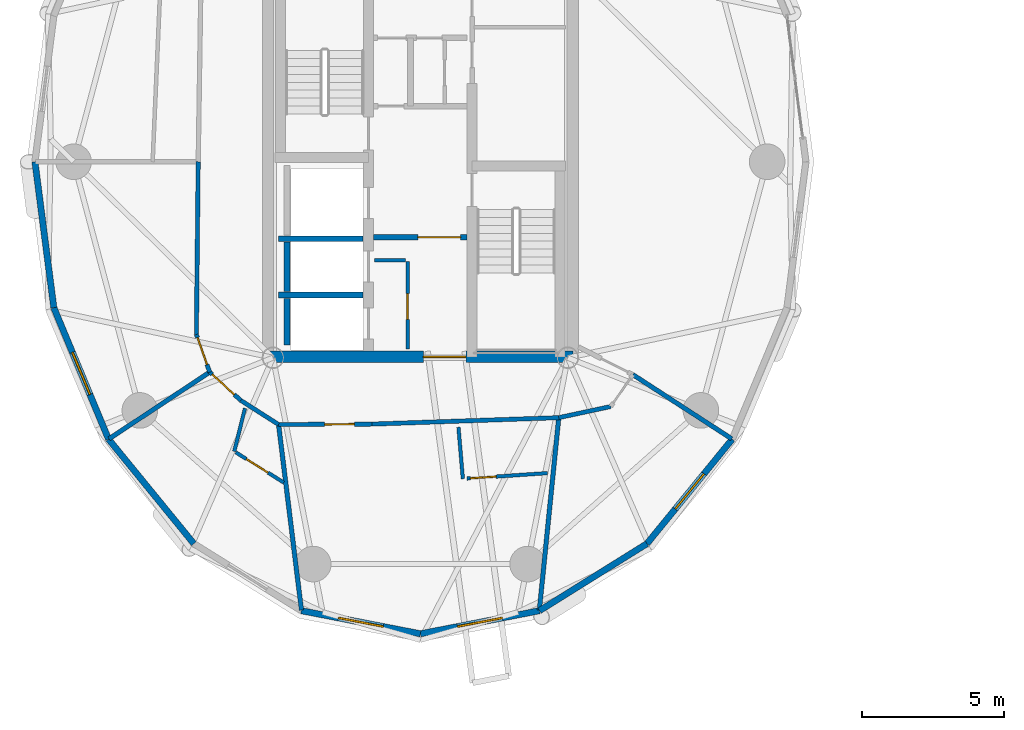
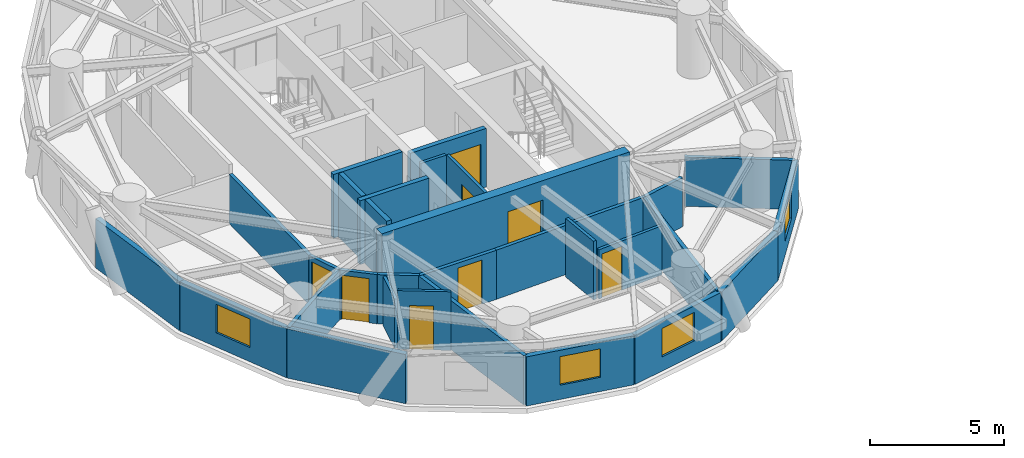
# One storey, part 9 of 17: 30 walls, 8 doors, 4 windows, 12 openings.
"""IFC4 building model written with IfcOpenShell, lengths in metres."""

from ifc_helpers import new_model, si_unit, direction, frame, frame_2d, origin, place, context, subcontext, project, spatial, rectangle, extrude, source, transform, mapped, material, layer, layer_set, type_object, element, fill, save


model = new_model("IFC4")

# Units and contexts
model_context = context("Model", 3, precision=1e-05, world=origin(), true_north=direction((0.0, 1.0)))
body_context = subcontext(model_context, "Body", "Model", "MODEL_VIEW")
ifc_project = project(units=[si_unit("LENGTHUNIT", "METRE"), si_unit("AREAUNIT", "SQUARE_METRE"), si_unit("VOLUMEUNIT", "CUBIC_METRE"), si_unit("PLANEANGLEUNIT", "RADIAN"), si_unit("MASSUNIT", "GRAM", prefix="KILO")], contexts=[model_context])

# Site, building, storey
site_placement = place(None, origin())
site = spatial("IfcSite", under=ifc_project, at=site_placement, CompositionType="ELEMENT")
building_placement = place(site_placement, origin())
building = spatial("IfcBuilding", under=site, at=building_placement, Name="Cununo Teusaquillo Station Towers", CompositionType="ELEMENT")
storey_placement = place(building_placement, frame((0.0, 0.0, 183.610107421875)))
storey = spatial("IfcBuildingStorey", under=building, at=storey_placement, Name="L58", CompositionType="ELEMENT", Elevation=183.610107421875)

# Walls
ifc_material_1 = material(Name="Concrete C50/60", Category="concrete")
ifc_layer_1 = layer(ifc_material_1, 0.199951171875)
ifc_layer_set_1 = layer_set([ifc_layer_1], Name="Concrete C50/60")
wall_type_1 = type_object("IfcWallType", Name="WL-CORE-200", PredefinedType="SHEAR", material=ifc_layer_set_1)
for number, where, z_axis, x_axis, name in (
    (1, (11.52001953125, 21.800048828125, 0.0), (0.0, 0.0, 1.0), (1.0, 0.0, 0.0), "L58 Tower A Firefighting Lift Shaft South Shear Wall"),
    (2, (11.52001953125, 19.824951171875, 0.0), (0.0, 0.0, 1.0), (1.0, 0.0, 0.0), "L58 Tower A High-Rise Lift Hoistway Divider Shear Wall"),
):
    element("IfcWall", number, at=place(storey_placement, frame(where, z_axis=z_axis, x_axis=x_axis)), inside=storey, type_object=wall_type_1, Name=name, PredefinedType="SHEAR", context=body_context, shape_type="SweptSolid", body=[
        extrude(rectangle(XDim=2.969970703125, YDim=0.199951171875, at=frame_2d((1.48486328125, 0.0))), origin(), (0.0, 0.0, 1.0), 2.909912109375),
    ])
wall_1_placement = place(storey_placement, frame((11.820068359375, 19.945068359375, 0.0), z_axis=(0.0, 0.0, 1.0), x_axis=(0.0, 1.0, 0.0)))
element("IfcWall", 3, at=wall_1_placement, inside=storey, type_object=wall_type_1, Name="L58 Tower A High-Rise Lift 2 Shaft Rear Shear Wall", PredefinedType="SHEAR", context=body_context, shape_type="SweptSolid", body=[
    extrude(rectangle(XDim=1.73486328125, YDim=0.199951171875, at=frame_2d((0.867431640625, 0.0))), origin(), (0.0, 0.0, 1.0), 2.909912109375),
])
wall_2_placement = place(storey_placement, frame((11.820068359375, 18.070068359375, 0.0), z_axis=(0.0, 0.0, 1.0), x_axis=(0.0, 1.0, 0.0)))
element("IfcWall", 4, at=wall_2_placement, inside=storey, type_object=wall_type_1, Name="L58 Tower A High-Rise Lift 1 Shaft Rear Shear Wall", PredefinedType="SHEAR", context=body_context, shape_type="SweptSolid", body=[
    extrude(rectangle(XDim=1.635009765625, YDim=0.199951171875, at=frame_2d((0.8173828125, 0.0))), origin(), (0.0, 0.0, 1.0), 2.909912109375),
])

# Wall, opening, door
ifc_material_2 = material(Name="Concrete C50/60", Category="concrete")
ifc_layer_2 = layer(ifc_material_2, 0.39990234375)
ifc_layer_set_2 = layer_set([ifc_layer_2], Name="Concrete C50/60")
wall_type_2 = type_object("IfcWallType", Name="WL-CORE-400", PredefinedType="SHEAR", material=ifc_layer_set_2)
wall_3_placement = place(storey_placement, frame((11.14990234375, 17.64990234375, 0.0), z_axis=(0.0, 0.0, 1.0), x_axis=(1.0, 0.0, 0.0)))
wall_3 = element("IfcWall", 5, at=wall_3_placement, inside=storey, type_object=wall_type_2, Name="L58 Tower A Core Shear Wall S", PredefinedType="SHEAR", context=body_context, shape_type="SweptSolid", body=[
    extrude(rectangle(XDim=10.7001953125, YDim=0.39990234375, at=frame_2d((5.35009765625, 0.0))), origin(), (0.0, 0.0, 1.0), 2.909912109375),
])
shared_shape_1 = source(origin(), body_context, "Body", "SweptSolid", [
    extrude(rectangle(XDim=1.5, YDim=2.02001953125, at=frame_2d((0.75, 1.010009765625))), frame((0.0, 0.2099609375, 0.0), z_axis=(0.0, -1.0, 0.0), x_axis=(1.0, 0.0, 0.0)), (0.0, 0.0, 1.0), 0.419921875),
])
opening_1_placement = place(wall_3_placement, frame((5.449951171875, 0.0, 0.0)))
opening_1 = element("IfcOpeningElement", 6, at=opening_1_placement, cuts=wall_3, Name="Opening D-LB1", PredefinedType="OPENING", context=body_context, shape_type="MappedRepresentation", body=[
    mapped(shared_shape_1, transform((0.0, 0.0, 0.0), x_axis=(1.0, 0.0, 0.0), y_axis=(0.0, 1.0, 0.0), z_axis=(0.0, 0.0, 1.0), scale=1.0)),
])
ifc_material_3 = material(Name="Galvanised fire-rated hollow steel door assembly", Category="steel")
door_type_1 = type_object("IfcDoorType", Name="DR-LOBBY-1500", OperationType="DOUBLE_DOOR_SINGLE_SWING", PredefinedType="DOOR", material=ifc_material_3)
shared_shape_2 = source(origin(), body_context, "Body", "SweptSolid", [
    extrude(rectangle(XDim=1.5, YDim=2.02001953125, at=frame_2d((0.75, 1.010009765625))), frame((0.0, 0.02490234375, 0.0), z_axis=(0.0, -1.0, 0.0), x_axis=(1.0, 0.0, 0.0)), (0.0, 0.0, 1.0), 0.050048828125),
])
door_1_placement = place(opening_1_placement, origin())
door_1 = element("IfcDoor", 7, at=door_1_placement, inside=storey, type_object=door_type_1, Name="L58 Tower A South Core Lift Lobby Door", OperationType="DOUBLE_DOOR_SINGLE_SWING", OverallHeight=2.02001953125, OverallWidth=1.5, PredefinedType="DOOR", context=body_context, shape_type="MappedRepresentation", body=[
    mapped(shared_shape_2, transform((0.0, 0.0, 0.0), x_axis=(1.0, 0.0, 0.0), y_axis=(0.0, 1.0, 0.0), z_axis=(0.0, 0.0, 1.0), scale=1.0)),
])
fill(opening_1, door_1)

# Wall
ifc_material_4 = material(Name="Precast concrete C40/50", Category="concrete")
ifc_layer_3 = layer(ifc_material_4, 0.219970703125)
ifc_layer_set_3 = layer_set([ifc_layer_3], Name="Precast concrete C40/50")
wall_type_3 = type_object("IfcWallType", Name="WL-EXT-220", PredefinedType="SOLIDWALL", material=ifc_layer_set_3)
wall_4_placement = place(storey_placement, frame((3.63134765625, 19.379638671875, 0.0), z_axis=(0.0, 0.0, 1.0), x_axis=(-0.128287912609, 0.991736966881, 0.0)))
element("IfcWall", 8, at=wall_4_placement, inside=storey, type_object=wall_type_3, Name="L58 Tower A Exterior Facade Wall C10", PredefinedType="SOLIDWALL", context=body_context, shape_type="SweptSolid", body=[
    extrude(rectangle(XDim=5.1630859375, YDim=0.219970703125, at=frame_2d((2.58154296875, 0.0))), origin(), (0.0, 0.0, 1.0), 2.244873046875),
])

# Wall, opening, window
wall_5_placement = place(storey_placement, frame((5.55322265625, 14.760498046875, 0.0), z_axis=(0.0, 0.0, 1.0), x_axis=(-0.384144094086, 0.923273152961, 0.0)))
wall_5 = element("IfcWall", 9, at=wall_5_placement, inside=storey, type_object=wall_type_3, Name="L58 Tower A Exterior Facade Wall C11", PredefinedType="SOLIDWALL", context=body_context, shape_type="SweptSolid", body=[
    extrude(rectangle(XDim=5.0029296875, YDim=0.219970703125, at=frame_2d((2.50146484375, 0.0))), origin(), (0.0, 0.0, 1.0), 2.244873046875),
])
shared_shape_3 = source(origin(), body_context, "Body", "SweptSolid", [
    extrude(rectangle(XDim=1.60009765625, YDim=1.300048828125, at=frame_2d((0.800048828125, 0.64990234375))), frame((0.0, 0.119873046875, 0.0), z_axis=(0.0, -1.0, 0.0), x_axis=(1.0, 0.0, 0.0)), (0.0, 0.0, 1.0), 0.239990234375),
])
opening_2_placement = place(wall_5_placement, frame((1.701904296875, 0.0, 0.64990234375)))
opening_2 = element("IfcOpeningElement", 10, at=opening_2_placement, cuts=wall_5, Name="Opening WN-03", PredefinedType="OPENING", context=body_context, shape_type="MappedRepresentation", body=[
    mapped(shared_shape_3, transform((0.0, 0.0, 0.0), x_axis=(1.0, 0.0, 0.0), y_axis=(0.0, 1.0, 0.0), z_axis=(0.0, 0.0, 1.0), scale=1.0)),
])
ifc_material_5 = material(Name="Ceramic-fritted dark low-E double glazing", Category="glass")
window_type = type_object("IfcWindowType", Name="WIN-CORN-1600", PartitioningType="SINGLE_PANEL", PredefinedType="WINDOW", material=ifc_material_5)
shared_shape_4 = source(origin(), body_context, "Body", "SweptSolid", [
    extrude(rectangle(XDim=1.60009765625, YDim=1.300048828125, at=frame_2d((0.800048828125, 0.64990234375))), frame((0.0, 0.030029296875, 0.0), z_axis=(0.0, -1.0, 0.0), x_axis=(1.0, 0.0, 0.0)), (0.0, 0.0, 1.0), 0.06005859375),
])
window_1_placement = place(opening_2_placement, origin())
window_1 = element("IfcWindow", 11, at=window_1_placement, inside=storey, type_object=window_type, Name="L58 Tower A Facade Window C11", OverallHeight=1.300048828125, OverallWidth=1.60009765625, PartitioningType="SINGLE_PANEL", PredefinedType="WINDOW", context=body_context, shape_type="MappedRepresentation", body=[
    mapped(shared_shape_4, transform((0.0, 0.0, 0.0), x_axis=(1.0, 0.0, 0.0), y_axis=(0.0, 1.0, 0.0), z_axis=(0.0, 0.0, 1.0), scale=1.0)),
])
fill(opening_2, window_1)

# Wall
wall_6_placement = place(storey_placement, frame((8.546630859375, 11.094482421875, 0.0), z_axis=(0.0, 0.0, 1.0), x_axis=(-0.632470615287, 0.774584353572, 0.0)))
element("IfcWall", 12, at=wall_6_placement, inside=storey, type_object=wall_type_3, Name="L58 Tower A Exterior Facade Wall C12", PredefinedType="SOLIDWALL", context=body_context, shape_type="SweptSolid", body=[
    extrude(rectangle(XDim=4.73291015625, YDim=0.219970703125, at=frame_2d((2.366455078125, 0.0))), origin(), (0.0, 0.0, 1.0), 2.244873046875),
])

# Wall, opening, window
wall_7_placement = place(storey_placement, frame((16.5, 7.929931640625, 0.0), z_axis=(0.0, 0.0, 1.0), x_axis=(-0.981703883443, 0.190413983815, 0.0)))
wall_7 = element("IfcWall", 13, at=wall_7_placement, inside=storey, type_object=wall_type_3, Name="L58 Tower A Exterior Facade Wall C14", PredefinedType="SOLIDWALL", context=body_context, shape_type="SweptSolid", body=[
    extrude(rectangle(XDim=4.25927734375, YDim=0.219970703125, at=frame_2d((2.129638671875, 0.0))), origin(), (0.0, 0.0, 1.0), 2.244873046875),
])
opening_3_placement = place(wall_7_placement, frame((1.330078125, 0.0, 0.64990234375)))
opening_3 = element("IfcOpeningElement", 14, at=opening_3_placement, cuts=wall_7, Name="Opening WN-03", PredefinedType="OPENING", context=body_context, shape_type="MappedRepresentation", body=[
    mapped(shared_shape_3, transform((0.0, 0.0, 0.0), x_axis=(1.0, 0.0, 0.0), y_axis=(0.0, 1.0, 0.0), z_axis=(0.0, 0.0, 1.0), scale=1.0)),
])
window_2_placement = place(opening_3_placement, origin())
window_2 = element("IfcWindow", 15, at=window_2_placement, inside=storey, type_object=window_type, Name="L58 Tower A Facade Window C14", OverallHeight=1.300048828125, OverallWidth=1.60009765625, PartitioningType="SINGLE_PANEL", PredefinedType="WINDOW", context=body_context, shape_type="MappedRepresentation", body=[
    mapped(shared_shape_4, transform((0.0, 0.0, 0.0), x_axis=(1.0, 0.0, 0.0), y_axis=(0.0, 1.0, 0.0), z_axis=(0.0, 0.0, 1.0), scale=1.0)),
])
fill(opening_3, window_2)

wall_8_placement = place(storey_placement, frame((20.681396484375, 8.740966796875, 0.0), z_axis=(0.0, 0.0, 1.0), x_axis=(-0.981703883443, -0.190413983815, 0.0)))
wall_8 = element("IfcWall", 16, at=wall_8_placement, inside=storey, type_object=wall_type_3, Name="L58 Tower A Exterior Facade Wall C15", PredefinedType="SOLIDWALL", context=body_context, shape_type="SweptSolid", body=[
    extrude(rectangle(XDim=4.25927734375, YDim=0.219970703125, at=frame_2d((2.129638671875, 0.0))), origin(), (0.0, 0.0, 1.0), 2.244873046875),
])
opening_4_placement = place(wall_8_placement, frame((1.330078125, 0.0, 0.64990234375)))
opening_4 = element("IfcOpeningElement", 17, at=opening_4_placement, cuts=wall_8, Name="Opening WN-03", PredefinedType="OPENING", context=body_context, shape_type="MappedRepresentation", body=[
    mapped(shared_shape_3, transform((0.0, 0.0, 0.0), x_axis=(1.0, 0.0, 0.0), y_axis=(0.0, 1.0, 0.0), z_axis=(0.0, 0.0, 1.0), scale=1.0)),
])
window_3_placement = place(opening_4_placement, origin())
window_3 = element("IfcWindow", 18, at=window_3_placement, inside=storey, type_object=window_type, Name="L58 Tower A Facade Window C15", OverallHeight=1.300048828125, OverallWidth=1.60009765625, PartitioningType="SINGLE_PANEL", PredefinedType="WINDOW", context=body_context, shape_type="MappedRepresentation", body=[
    mapped(shared_shape_4, transform((0.0, 0.0, 0.0), x_axis=(1.0, 0.0, 0.0), y_axis=(0.0, 1.0, 0.0), z_axis=(0.0, 0.0, 1.0), scale=1.0)),
])
fill(opening_4, window_3)

# Wall
wall_9_placement = place(storey_placement, frame((24.453369140625, 11.094482421875, 0.0), z_axis=(0.0, 0.0, 1.0), x_axis=(-0.848399108042, -0.529357113368, 0.0)))
element("IfcWall", 19, at=wall_9_placement, inside=storey, type_object=wall_type_3, Name="L58 Tower A Exterior Facade Wall C16", PredefinedType="SOLIDWALL", context=body_context, shape_type="SweptSolid", body=[
    extrude(rectangle(XDim=4.446044921875, YDim=0.219970703125, at=frame_2d((2.22314453125, 0.0))), origin(), (0.0, 0.0, 1.0), 2.244873046875),
])

# Wall, opening, window
wall_10_placement = place(storey_placement, frame((27.44677734375, 14.760498046875, 0.0), z_axis=(0.0, 0.0, 1.0), x_axis=(-0.632470615287, -0.774584353572, 0.0)))
wall_10 = element("IfcWall", 20, at=wall_10_placement, inside=storey, type_object=wall_type_3, Name="L58 Tower A Exterior Facade Wall C17", PredefinedType="SOLIDWALL", context=body_context, shape_type="SweptSolid", body=[
    extrude(rectangle(XDim=4.73291015625, YDim=0.219970703125, at=frame_2d((2.366455078125, 0.0))), origin(), (0.0, 0.0, 1.0), 2.244873046875),
])
opening_5_placement = place(wall_10_placement, frame((1.56591796875, 0.0, 0.64990234375)))
opening_5 = element("IfcOpeningElement", 21, at=opening_5_placement, cuts=wall_10, Name="Opening WN-03", PredefinedType="OPENING", context=body_context, shape_type="MappedRepresentation", body=[
    mapped(shared_shape_3, transform((0.0, 0.0, 0.0), x_axis=(1.0, 0.0, 0.0), y_axis=(0.0, 1.0, 0.0), z_axis=(0.0, 0.0, 1.0), scale=1.0)),
])
window_4_placement = place(opening_5_placement, origin())
window_4 = element("IfcWindow", 22, at=window_4_placement, inside=storey, type_object=window_type, Name="L58 Tower A Facade Window C17", OverallHeight=1.300048828125, OverallWidth=1.60009765625, PartitioningType="SINGLE_PANEL", PredefinedType="WINDOW", context=body_context, shape_type="MappedRepresentation", body=[
    mapped(shared_shape_4, transform((0.0, 0.0, 0.0), x_axis=(1.0, 0.0, 0.0), y_axis=(0.0, 1.0, 0.0), z_axis=(0.0, 0.0, 1.0), scale=1.0)),
])
fill(opening_5, window_4)

# Wall, opening, door
ifc_material_6 = material(Name="Fire-rated gypsum plasterboard partition assembly", Category="gypsum")
ifc_layer_4 = layer(ifc_material_6, 0.125)
ifc_layer_set_4 = layer_set([ifc_layer_4], Name="Fire-rated gypsum plasterboard partition assembly")
wall_type_4 = type_object("IfcWallType", Name="WL-PART-125", PredefinedType="PARTITIONING", material=ifc_layer_set_4)
wall_11_placement = place(storey_placement, frame((16.050048828125, 17.919921875, 0.0), z_axis=(0.0, 0.0, 1.0), x_axis=(0.0, 1.0, 0.0)))
wall_11 = element("IfcWall", 23, at=wall_11_placement, inside=storey, type_object=wall_type_4, Name="L58 Tower A South-West Tall Store East Wall", PredefinedType="PARTITIONING", context=body_context, shape_type="SweptSolid", body=[
    extrude(rectangle(XDim=3.080078125, YDim=0.125, at=frame_2d((1.5400390625, 0.0))), origin(), (0.0, 0.0, 1.0), 2.6748046875),
])
shared_shape_5 = source(origin(), body_context, "Body", "SweptSolid", [
    extrude(rectangle(XDim=0.89990234375, YDim=2.0048828125, at=frame_2d((0.449951171875, 1.00244140625))), frame((0.0, 0.072509765625, 0.0), z_axis=(0.0, -1.0, 0.0), x_axis=(1.0, 0.0, 0.0)), (0.0, 0.0, 1.0), 0.14501953125),
])
opening_6_placement = place(wall_11_placement, frame((1.050048828125, 0.0, 0.0)))
opening_6 = element("IfcOpeningElement", 24, at=opening_6_placement, cuts=wall_11, Name="Opening D-SR1", PredefinedType="OPENING", context=body_context, shape_type="MappedRepresentation", body=[
    mapped(shared_shape_5, transform((0.0, 0.0, 0.0), x_axis=(1.0, 0.0, 0.0), y_axis=(0.0, 1.0, 0.0), z_axis=(0.0, 0.0, 1.0), scale=1.0)),
])
ifc_material_7 = material(Name="Galvanised fire-rated hollow steel door assembly", Category="steel")
door_type_2 = type_object("IfcDoorType", Name="DR-STORE-900", OperationType="NOTDEFINED", PredefinedType="DOOR", material=ifc_material_7)
shared_shape_6 = source(origin(), body_context, "Body", "SweptSolid", [
    extrude(rectangle(XDim=0.89990234375, YDim=2.0048828125, at=frame_2d((0.449951171875, 1.00244140625))), frame((0.0, 0.02490234375, 0.0), z_axis=(0.0, -1.0, 0.0), x_axis=(1.0, 0.0, 0.0)), (0.0, 0.0, 1.0), 0.050048828125),
])
door_2_placement = place(opening_6_placement, origin())
door_2 = element("IfcDoor", 25, at=door_2_placement, inside=storey, type_object=door_type_2, Name="L58 Tower A South Cleaners Store Door", OperationType="SINGLE_SWING_RIGHT", OverallHeight=2.0048828125, OverallWidth=0.89990234375, PredefinedType="DOOR", context=body_context, shape_type="MappedRepresentation", body=[
    mapped(shared_shape_6, transform((0.0, 0.0, 0.0), x_axis=(1.0, 0.0, 0.0), y_axis=(0.0, 1.0, 0.0), z_axis=(0.0, 0.0, 1.0), scale=1.0)),
])
fill(opening_6, door_2)

# Walls
wall_12_placement = place(storey_placement, frame((14.8798828125, 21.050048828125, 0.0), z_axis=(0.0, 0.0, 1.0), x_axis=(1.0, 0.0, 0.0)))
element("IfcWall", 26, at=wall_12_placement, inside=storey, type_object=wall_type_4, Name="L58 Tower A South-West Tall Store North Wall", PredefinedType="PARTITIONING", context=body_context, shape_type="SweptSolid", body=[
    extrude(rectangle(XDim=1.10009765625, YDim=0.125, at=frame_2d((0.550048828125, 0.0))), origin(), (0.0, 0.0, 1.0), 2.6748046875),
])
wall_13_placement = place(storey_placement, frame((10.343017578125, 15.8466796875, 0.0), z_axis=(0.0, 0.0, 1.0), x_axis=(-0.240988864291, -0.970527880737, 0.0)))
element("IfcWall", 27, at=wall_13_placement, inside=storey, type_object=wall_type_4, Name="L58 Tower A S05 En-suite Side Wall", PredefinedType="PARTITIONING", context=body_context, shape_type="SweptSolid", body=[
    extrude(rectangle(XDim=1.56005859375, YDim=0.125, at=frame_2d((0.780029296875, 0.0))), origin(), (0.0, 0.0, 1.0), 2.244873046875),
])

# Wall, opening, door
wall_14_placement = place(storey_placement, frame((10.019775390625, 14.29931640625, 0.0), z_axis=(0.0, 0.0, 1.0), x_axis=(0.846015763056, -0.533157883427, 0.0)))
wall_14 = element("IfcWall", 28, at=wall_14_placement, inside=storey, type_object=wall_type_4, Name="L58 Tower A S05 En-suite Back Wall", PredefinedType="PARTITIONING", context=body_context, shape_type="SweptSolid", body=[
    extrude(rectangle(XDim=1.991455078125, YDim=0.125, at=frame_2d((0.99560546875, 0.0))), origin(), (0.0, 0.0, 1.0), 2.6748046875),
])
opening_7_placement = place(wall_14_placement, frame((0.439208984375, 0.0, 0.0)))
opening_7 = element("IfcOpeningElement", 29, at=opening_7_placement, cuts=wall_14, Name="Opening D-IN1", PredefinedType="OPENING", context=body_context, shape_type="MappedRepresentation", body=[
    mapped(shared_shape_5, transform((0.0, 0.0, 0.0), x_axis=(1.0, 0.0, 0.0), y_axis=(0.0, 1.0, 0.0), z_axis=(0.0, 0.0, 1.0), scale=1.0)),
])
ifc_material_8 = material(Name="Acoustic solid-core hardwood leaf assembly", Category="wood")
door_type_3 = type_object("IfcDoorType", Name="DR-INT-900", OperationType="NOTDEFINED", PredefinedType="DOOR", material=ifc_material_8)
door_3_placement = place(opening_7_placement, origin())
door_3 = element("IfcDoor", 30, at=door_3_placement, inside=storey, type_object=door_type_3, Name="L58 Tower A S05 En-suite Bathroom Door", OperationType="SINGLE_SWING_LEFT", OverallHeight=2.0048828125, OverallWidth=0.89990234375, PredefinedType="DOOR", context=body_context, shape_type="MappedRepresentation", body=[
    mapped(shared_shape_6, transform((0.0, 0.0, 0.0), x_axis=(1.0, 0.0, 0.0), y_axis=(0.0, 1.0, 0.0), z_axis=(0.0, 0.0, 1.0), scale=1.0)),
])
fill(opening_7, door_3)

# Wall
wall_15_placement = place(storey_placement, frame((17.835693359375, 15.182373046875, 0.0), z_axis=(0.0, 0.0, 1.0), x_axis=(0.084856554172, -0.996393178025, 0.0)))
element("IfcWall", 31, at=wall_15_placement, inside=storey, type_object=wall_type_4, Name="L58 Tower A S06 En-suite Side Wall", PredefinedType="PARTITIONING", context=body_context, shape_type="SweptSolid", body=[
    extrude(rectangle(XDim=1.818359375, YDim=0.125, at=frame_2d((0.9091796875, 0.0))), origin(), (0.0, 0.0, 1.0), 2.6748046875),
])

# Wall, opening, door
wall_16_placement = place(storey_placement, frame((18.136962890625, 13.38037109375, 0.0), z_axis=(0.0, 0.0, 1.0), x_axis=(0.997767152953, 0.066788535611, 0.0)))
wall_16 = element("IfcWall", 32, at=wall_16_placement, inside=storey, type_object=wall_type_4, Name="L58 Tower A S06 En-suite Back Wall", PredefinedType="PARTITIONING", context=body_context, shape_type="SweptSolid", body=[
    extrude(rectangle(XDim=2.82568359375, YDim=0.125, at=frame_2d((1.412841796875, 0.0))), origin(), (0.0, 0.0, 1.0), 2.244873046875),
])
opening_8_placement = place(wall_16_placement, frame((0.1201171875, 0.0, 0.0)))
opening_8 = element("IfcOpeningElement", 33, at=opening_8_placement, cuts=wall_16, Name="Opening D-IN1", PredefinedType="OPENING", context=body_context, shape_type="MappedRepresentation", body=[
    mapped(shared_shape_5, transform((0.0, 0.0, 0.0), x_axis=(1.0, 0.0, 0.0), y_axis=(0.0, 1.0, 0.0), z_axis=(0.0, 0.0, 1.0), scale=1.0)),
])
door_4_placement = place(opening_8_placement, origin())
door_4 = element("IfcDoor", 34, at=door_4_placement, inside=storey, type_object=door_type_3, Name="L58 Tower A S06 En-suite Bathroom Door", OperationType="SINGLE_SWING_LEFT", OverallHeight=2.0048828125, OverallWidth=0.89990234375, PredefinedType="DOOR", context=body_context, shape_type="MappedRepresentation", body=[
    mapped(shared_shape_6, transform((0.0, 0.0, 0.0), x_axis=(1.0, 0.0, 0.0), y_axis=(0.0, 1.0, 0.0), z_axis=(0.0, 0.0, 1.0), scale=1.0)),
])
fill(opening_8, door_4)

# Wall
ifc_material_9 = material(Name="Fire-rated gypsum plasterboard partition assembly", Category="gypsum")
ifc_layer_5 = layer(ifc_material_9, 0.14990234375)
ifc_layer_set_5 = layer_set([ifc_layer_5], Name="Fire-rated gypsum plasterboard partition assembly")
wall_type_5 = type_object("IfcWallType", Name="WL-PART-150", PredefinedType="PARTITIONING", material=ifc_layer_set_5)
wall_17_placement = place(storey_placement, frame((8.699951171875, 24.5, 0.0), z_axis=(0.0, 0.0, 1.0), x_axis=(-0.010507512335, -0.999944794568, 0.0)))
element("IfcWall", 35, at=wall_17_placement, inside=storey, type_object=wall_type_5, Name="L58 Tower A Corridor Ring Wall C10", PredefinedType="PARTITIONING", context=body_context, shape_type="SweptSolid", body=[
    extrude(rectangle(XDim=6.064208984375, YDim=0.14990234375, at=frame_2d((3.0322265625, 0.0))), origin(), (0.0, 0.0, 1.0), 2.244873046875),
])

# Wall, opening, door
wall_18_placement = place(storey_placement, frame((8.63623046875, 18.43603515625, 0.0), z_axis=(0.0, 0.0, 1.0), x_axis=(0.333211866524, -0.942851977782, 0.0)))
wall_18 = element("IfcWall", 36, at=wall_18_placement, inside=storey, type_object=wall_type_5, Name="L58 Tower A Corridor Ring Wall C11", PredefinedType="PARTITIONING", context=body_context, shape_type="SweptSolid", body=[
    extrude(rectangle(XDim=1.401611328125, YDim=0.14990234375, at=frame_2d((0.70068359375, 0.0))), origin(), (0.0, 0.0, 1.0), 2.244873046875),
])
shared_shape_7 = source(origin(), body_context, "Body", "SweptSolid", [
    extrude(rectangle(XDim=1.0, YDim=2.014892578125, at=frame_2d((0.5, 1.00732421875))), frame((0.0, 0.0849609375, 0.0), z_axis=(0.0, -1.0, 0.0), x_axis=(1.0, 0.0, 0.0)), (0.0, 0.0, 1.0), 0.169921875),
])
opening_9_placement = place(wall_18_placement, frame((0.1201171875, 0.0, 0.0)))
opening_9 = element("IfcOpeningElement", 37, at=opening_9_placement, cuts=wall_18, Name="Opening D-AC1", PredefinedType="OPENING", context=body_context, shape_type="MappedRepresentation", body=[
    mapped(shared_shape_7, transform((0.0, 0.0, 0.0), x_axis=(1.0, 0.0, 0.0), y_axis=(0.0, 1.0, 0.0), z_axis=(0.0, 0.0, 1.0), scale=1.0)),
])
ifc_material_10 = material(Name="Acoustic solid-core hardwood leaf assembly", Category="wood")
door_type_4 = type_object("IfcDoorType", Name="DR-ACC-1000", OperationType="NOTDEFINED", PredefinedType="DOOR", material=ifc_material_10)
shared_shape_8 = source(origin(), body_context, "Body", "SweptSolid", [
    extrude(rectangle(XDim=1.0, YDim=2.014892578125, at=frame_2d((0.5, 1.00732421875))), frame((0.0, 0.02490234375, 0.0), z_axis=(0.0, -1.0, 0.0), x_axis=(1.0, 0.0, 0.0)), (0.0, 0.0, 1.0), 0.050048828125),
])
door_5_placement = place(opening_9_placement, origin())
door_5 = element("IfcDoor", 38, at=door_5_placement, inside=storey, type_object=door_type_4, Name="L58 Tower A Public Accessible Restroom WC Entrance Door", OperationType="SINGLE_SWING_LEFT", OverallHeight=2.014892578125, OverallWidth=1.0, PredefinedType="DOOR", context=body_context, shape_type="MappedRepresentation", body=[
    mapped(shared_shape_8, transform((0.0, 0.0, 0.0), x_axis=(1.0, 0.0, 0.0), y_axis=(0.0, 1.0, 0.0), z_axis=(0.0, 0.0, 1.0), scale=1.0)),
])
fill(opening_9, door_5)

wall_19_placement = place(storey_placement, frame((9.103271484375, 17.114501953125, 0.0), z_axis=(0.0, 0.0, 1.0), x_axis=(0.740186897911, -0.672401186912, 0.0)))
wall_19 = element("IfcWall", 39, at=wall_19_placement, inside=storey, type_object=wall_type_5, Name="L58 Tower A Corridor Ring Wall C12", PredefinedType="PARTITIONING", context=body_context, shape_type="SweptSolid", body=[
    extrude(rectangle(XDim=1.4765625, YDim=0.14990234375, at=frame_2d((0.73828125, 0.0))), origin(), (0.0, 0.0, 1.0), 2.244873046875),
])
shared_shape_9 = source(origin(), body_context, "Body", "SweptSolid", [
    extrude(rectangle(XDim=1.050048828125, YDim=2.014892578125, at=frame_2d((0.52490234375, 1.00732421875))), frame((0.0, 0.0849609375, 0.0), z_axis=(0.0, -1.0, 0.0), x_axis=(1.0, 0.0, 0.0)), (0.0, 0.0, 1.0), 0.169921875),
])
opening_10_placement = place(wall_19_placement, frame((0.1201171875, 0.0, 0.0)))
opening_10 = element("IfcOpeningElement", 40, at=opening_10_placement, cuts=wall_19, Name="Opening D-SU1", PredefinedType="OPENING", context=body_context, shape_type="MappedRepresentation", body=[
    mapped(shared_shape_9, transform((0.0, 0.0, 0.0), x_axis=(1.0, 0.0, 0.0), y_axis=(0.0, 1.0, 0.0), z_axis=(0.0, 0.0, 1.0), scale=1.0)),
])
ifc_material_11 = material(Name="Acoustic solid-core hardwood leaf assembly", Category="wood")
door_type_5 = type_object("IfcDoorType", Name="DR-SUITE-1050", OperationType="NOTDEFINED", PredefinedType="DOOR", material=ifc_material_11)
shared_shape_10 = source(origin(), body_context, "Body", "SweptSolid", [
    extrude(rectangle(XDim=1.050048828125, YDim=2.014892578125, at=frame_2d((0.52490234375, 1.00732421875))), frame((0.0, 0.02490234375, 0.0), z_axis=(0.0, -1.0, 0.0), x_axis=(1.0, 0.0, 0.0)), (0.0, 0.0, 1.0), 0.050048828125),
])
door_6_placement = place(opening_10_placement, origin())
door_6 = element("IfcDoor", 41, at=door_6_placement, inside=storey, type_object=door_type_5, Name="L58 Tower A Emerald Horizon Hotel Suite Entrance Door", OperationType="SINGLE_SWING_RIGHT", OverallHeight=2.014892578125, OverallWidth=1.050048828125, PredefinedType="DOOR", context=body_context, shape_type="MappedRepresentation", body=[
    mapped(shared_shape_10, transform((0.0, 0.0, 0.0), x_axis=(1.0, 0.0, 0.0), y_axis=(0.0, 1.0, 0.0), z_axis=(0.0, 0.0, 1.0), scale=1.0)),
])
fill(opening_10, door_6)

# Wall
wall_20_placement = place(storey_placement, frame((10.1962890625, 16.12158203125, 0.0), z_axis=(0.0, 0.0, 1.0), x_axis=(0.843021142441, -0.537880426673, 0.0)))
element("IfcWall", 42, at=wall_20_placement, inside=storey, type_object=wall_type_5, Name="L58 Tower A Corridor Ring Wall C13", PredefinedType="PARTITIONING", context=body_context, shape_type="SweptSolid", body=[
    extrude(rectangle(XDim=1.5712890625, YDim=0.14990234375, at=frame_2d((0.78564453125, 0.0))), origin(), (0.0, 0.0, 1.0), 2.244873046875),
])

# Wall, opening, door
wall_21_placement = place(storey_placement, frame((11.52099609375, 15.2763671875, 0.0), z_axis=(0.0, 0.0, 1.0), x_axis=(0.999990688463, 0.004315436007, 0.0)))
wall_21 = element("IfcWall", 43, at=wall_21_placement, inside=storey, type_object=wall_type_5, Name="L58 Tower A Corridor Ring Wall C14", PredefinedType="PARTITIONING", context=body_context, shape_type="SweptSolid", body=[
    extrude(rectangle(XDim=3.28125, YDim=0.14990234375, at=frame_2d((1.640625, 0.0))), origin(), (0.0, 0.0, 1.0), 2.244873046875),
])
opening_11_placement = place(wall_21_placement, frame((1.61328125, 0.0, 0.0)))
opening_11 = element("IfcOpeningElement", 44, at=opening_11_placement, cuts=wall_21, Name="Opening D-SU1", PredefinedType="OPENING", context=body_context, shape_type="MappedRepresentation", body=[
    mapped(shared_shape_9, transform((0.0, 0.0, 0.0), x_axis=(1.0, 0.0, 0.0), y_axis=(0.0, 1.0, 0.0), z_axis=(0.0, 0.0, 1.0), scale=1.0)),
])
door_7_placement = place(opening_11_placement, origin())
door_7 = element("IfcDoor", 45, at=door_7_placement, inside=storey, type_object=door_type_5, Name="L58 Tower A Paramo View Hotel Suite Entrance Door", OperationType="SINGLE_SWING_RIGHT", OverallHeight=2.014892578125, OverallWidth=1.050048828125, PredefinedType="DOOR", context=body_context, shape_type="MappedRepresentation", body=[
    mapped(shared_shape_10, transform((0.0, 0.0, 0.0), x_axis=(1.0, 0.0, 0.0), y_axis=(0.0, 1.0, 0.0), z_axis=(0.0, 0.0, 1.0), scale=1.0)),
])
fill(opening_11, door_7)

# Walls
wall_22_placement = place(storey_placement, frame((14.80224609375, 15.29052734375, 0.0), z_axis=(0.0, 0.0, 1.0), x_axis=(0.999405778293, 0.034468686011, 0.0)))
element("IfcWall", 46, at=wall_22_placement, inside=storey, type_object=wall_type_5, Name="L58 Tower A Corridor Ring Wall C15", PredefinedType="PARTITIONING", context=body_context, shape_type="SweptSolid", body=[
    extrude(rectangle(XDim=6.558837890625, YDim=0.14990234375, at=frame_2d((3.279296875, 0.0))), origin(), (0.0, 0.0, 1.0), 2.244873046875),
])
wall_23_placement = place(storey_placement, frame((21.357177734375, 15.5166015625, 0.0), z_axis=(0.0, 0.0, 1.0), x_axis=(0.977773676035, 0.209663154733, 0.0)))
element("IfcWall", 47, at=wall_23_placement, inside=storey, type_object=wall_type_5, Name="L58 Tower A Corridor Ring Wall C16", PredefinedType="PARTITIONING", context=body_context, shape_type="SweptSolid", body=[
    extrude(rectangle(XDim=1.865478515625, YDim=0.14990234375, at=frame_2d((0.9326171875, 0.0))), origin(), (0.0, 0.0, 1.0), 2.244873046875),
])
ifc_material_12 = material(Name="Fire-rated gypsum plasterboard partition assembly", Category="gypsum")
ifc_layer_6 = layer(ifc_material_12, 0.159912109375)
ifc_layer_set_6 = layer_set([ifc_layer_6], Name="Fire-rated gypsum plasterboard partition assembly")
wall_type_6 = type_object("IfcWallType", Name="WL-PART-160", PredefinedType="PARTITIONING", material=ifc_layer_set_6)
wall_24_placement = place(storey_placement, frame((9.103271484375, 17.114501953125, 0.0), z_axis=(0.0, 0.0, 1.0), x_axis=(-0.833535637115, -0.552465692745, 0.0)))
element("IfcWall", 48, at=wall_24_placement, inside=storey, type_object=wall_type_6, Name="L58 Tower A Radial Suite Partition R05", PredefinedType="PARTITIONING", context=body_context, shape_type="SweptSolid", body=[
    extrude(rectangle(XDim=4.23974609375, YDim=0.159912109375, at=frame_2d((2.119873046875, 0.0))), origin(), (0.0, 0.0, 1.0), 2.244873046875),
])
wall_25_placement = place(storey_placement, frame((11.52099609375, 15.2763671875, 0.0), z_axis=(0.0, 0.0, 1.0), x_axis=(0.122446537769, -0.992475110715, 0.0)))
element("IfcWall", 49, at=wall_25_placement, inside=storey, type_object=wall_type_6, Name="L58 Tower A Radial Suite Partition R06", PredefinedType="PARTITIONING", context=body_context, shape_type="SweptSolid", body=[
    extrude(rectangle(XDim=6.565673828125, YDim=0.159912109375, at=frame_2d((3.28271484375, 0.0))), origin(), (0.0, 0.0, 1.0), 2.244873046875),
])
wall_26_placement = place(storey_placement, frame((21.357177734375, 15.5166015625, 0.0), z_axis=(0.0, 0.0, 1.0), x_axis=(-0.100446941693, -0.994942416376, 0.0)))
element("IfcWall", 50, at=wall_26_placement, inside=storey, type_object=wall_type_6, Name="L58 Tower A Radial Suite Partition R07", PredefinedType="PARTITIONING", context=body_context, shape_type="SweptSolid", body=[
    extrude(rectangle(XDim=6.791015625, YDim=0.159912109375, at=frame_2d((3.3955078125, 0.0))), origin(), (0.0, 0.0, 1.0), 2.244873046875),
])
wall_27_placement = place(storey_placement, frame((23.959228515625, 17.025390625, 0.0), z_axis=(0.0, 0.0, 1.0), x_axis=(0.838803293388, -0.544434601215, 0.0)))
element("IfcWall", 51, at=wall_27_placement, inside=storey, type_object=wall_type_6, Name="L58 Tower A Radial Suite Partition R08", PredefinedType="PARTITIONING", context=body_context, shape_type="SweptSolid", body=[
    extrude(rectangle(XDim=4.138671875, YDim=0.159912109375, at=frame_2d((2.0693359375, 0.0))), origin(), (0.0, 0.0, 1.0), 2.244873046875),
])

# Wall, opening, door
ifc_material_13 = material(Name="Fire-rated gypsum plasterboard partition assembly", Category="gypsum")
ifc_layer_7 = layer(ifc_material_13, 0.199951171875)
ifc_layer_set_7 = layer_set([ifc_layer_7], Name="Fire-rated gypsum plasterboard partition assembly")
wall_type_7 = type_object("IfcWallType", Name="WL-PART-200", PredefinedType="PARTITIONING", material=ifc_layer_set_7)
wall_28_placement = place(storey_placement, frame((14.860107421875, 21.85009765625, 0.0), z_axis=(0.0, 0.0, 1.0), x_axis=(1.0, 0.0, 0.0)))
wall_28 = element("IfcWall", 52, at=wall_28_placement, inside=storey, type_object=wall_type_7, Name="L58 Tower A Firefighting Lift Lobby South Fire Wall", PredefinedType="PARTITIONING", context=body_context, shape_type="SweptSolid", body=[
    extrude(rectangle(XDim=3.27978515625, YDim=0.199951171875, at=frame_2d((1.639892578125, 0.0))), origin(), (0.0, 0.0, 1.0), 2.6748046875),
])
shared_shape_11 = source(origin(), body_context, "Body", "SweptSolid", [
    extrude(rectangle(XDim=1.5, YDim=2.02001953125, at=frame_2d((0.75, 1.010009765625))), frame((0.0, 0.10986328125, 0.0), z_axis=(0.0, -1.0, 0.0), x_axis=(1.0, 0.0, 0.0)), (0.0, 0.0, 1.0), 0.219970703125),
])
opening_12_placement = place(wall_28_placement, frame((1.550048828125, 0.0, 0.0)))
opening_12 = element("IfcOpeningElement", 53, at=opening_12_placement, cuts=wall_28, Name="Opening D-LB1", PredefinedType="OPENING", context=body_context, shape_type="MappedRepresentation", body=[
    mapped(shared_shape_11, transform((0.0, 0.0, 0.0), x_axis=(1.0, 0.0, 0.0), y_axis=(0.0, 1.0, 0.0), z_axis=(0.0, 0.0, 1.0), scale=1.0)),
])
door_8_placement = place(opening_12_placement, origin())
door_8 = element("IfcDoor", 54, at=door_8_placement, inside=storey, type_object=door_type_1, Name="L58 Tower A Firefighting Lift Lobby South Fire Door", OperationType="DOUBLE_DOOR_SINGLE_SWING", OverallHeight=2.02001953125, OverallWidth=1.5, PredefinedType="DOOR", context=body_context, shape_type="MappedRepresentation", body=[
    mapped(shared_shape_2, transform((0.0, 0.0, 0.0), x_axis=(1.0, 0.0, 0.0), y_axis=(0.0, 1.0, 0.0), z_axis=(0.0, 0.0, 1.0), scale=1.0)),
])
fill(opening_12, door_8)

save(model, "model.ifc")
